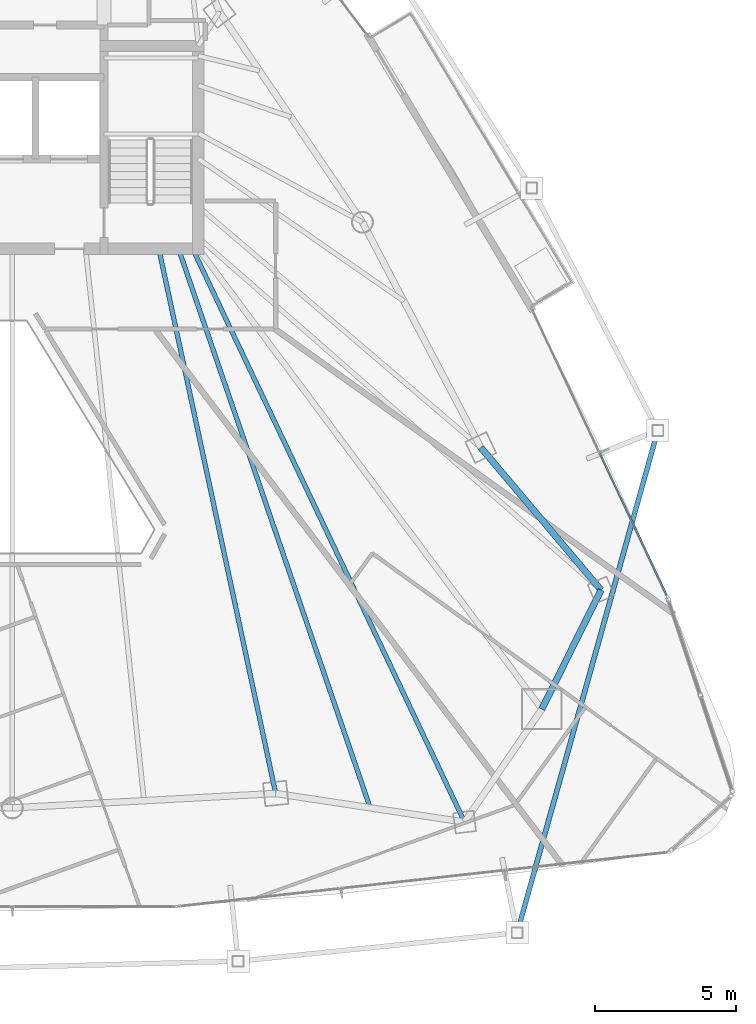
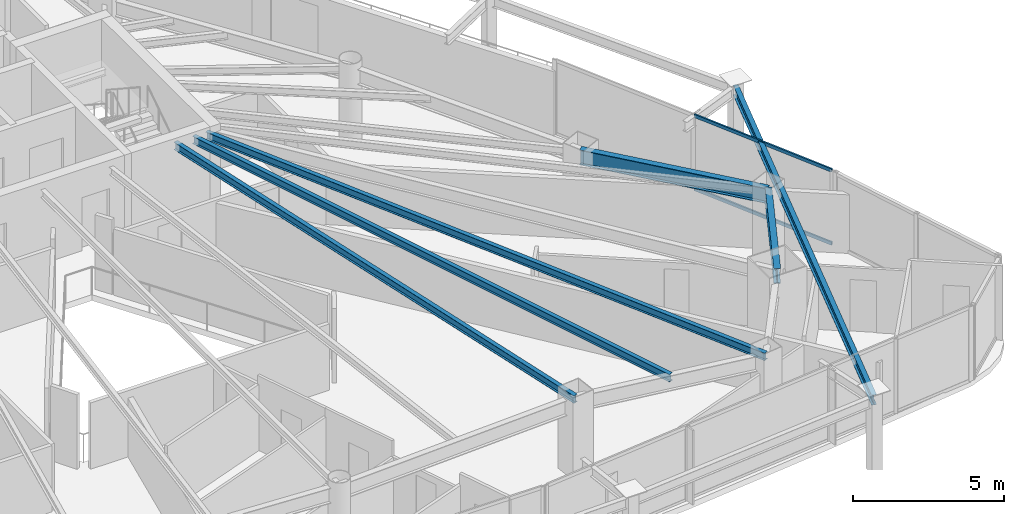
# One storey, part 13 of 30: 6 beams, 2 members, 1 element without a shape of its own.
"""IFC4 building model written with IfcOpenShell, lengths in metres."""

from ifc_helpers import new_model, si_unit, direction, frame, origin, origin_2d, place, context, subcontext, project, spatial, hollow_rectangle, i_section, extrude, material, layer, layer_set, material_profile, profile_set, type_object, element, aggregate, save


model = new_model("IFC4")

# Units and contexts
model_context = context("Model", 3, precision=1e-05, world=origin(), true_north=direction((0.0, 1.0)))
body_context = subcontext(model_context, "Body", "Model", "MODEL_VIEW")
ifc_project = project(units=[si_unit("LENGTHUNIT", "METRE"), si_unit("AREAUNIT", "SQUARE_METRE"), si_unit("VOLUMEUNIT", "CUBIC_METRE"), si_unit("PLANEANGLEUNIT", "RADIAN"), si_unit("MASSUNIT", "GRAM", prefix="KILO")], contexts=[model_context])

# Site, building, storey
site_placement = place(None, origin())
site = spatial("IfcSite", under=ifc_project, at=site_placement, CompositionType="ELEMENT")
building_placement = place(site_placement, origin())
building = spatial("IfcBuilding", under=site, at=building_placement, Name="Orvanel Arch Residences", CompositionType="ELEMENT")
storey_placement = place(building_placement, frame((0.0, 0.0, 143.0)))
storey = spatial("IfcBuildingStorey", under=building, at=storey_placement, Name="L40", CompositionType="ELEMENT", Elevation=143.0)

# Beams
ifc_material_1 = material(Name="Structural steel AS/NZS 3679.1 Grade 300 (300 MPa)", Category="steel")
ifc_material_profile_1 = material_profile(ifc_material_1, i_section(OverallWidth=0.1650390625, OverallDepth=0.303955078125, WebThickness=0.006103515625, FlangeThickness=0.01025390625, at=origin_2d()), Name="310UB40.4")
ifc_profile_set_1 = profile_set([ifc_material_profile_1], Name="Structural steel AS/NZS 3679.1 Grade 300 (300 MPa)")
beam_type_1 = type_object("IfcBeamType", Name="BJ-310UB", PredefinedType="JOIST", material=ifc_profile_set_1)
beam_1_placement = place(storey_placement, frame((38.199951171875, 26.699951171875, 2.867919921875), z_axis=(0.209808012425, -0.977742603103, 0.0), x_axis=(0.977742603103, 0.209808012425, 0.0)))
element("IfcBeam", 1, at=beam_1_placement, inside=storey, type_object=beam_type_1, Name="L40 SE Wing Floor Joist", PredefinedType="JOIST", context=body_context, shape_type="SweptSolid", body=[
    extrude(i_section(OverallWidth=0.1650390625, OverallDepth=0.303955078125, WebThickness=0.006103515625, FlangeThickness=0.01025390625, at=origin_2d()), origin(), (0.0, 0.0, 1.0), 19.785400390625),
])
beam_2_placement = place(storey_placement, frame((39.39990234375, 26.699951171875, 2.867919921875), z_axis=(0.428614365266, -0.903487534993, 0.0), x_axis=(0.903487534993, 0.428614365266, 0.0)))
element("IfcBeam", 2, at=beam_2_placement, inside=storey, type_object=beam_type_1, Name="L40 MSE Wing Floor Joist", PredefinedType="JOIST", context=body_context, shape_type="SweptSolid", body=[
    extrude(i_section(OverallWidth=0.1650390625, OverallDepth=0.303955078125, WebThickness=0.006103515625, FlangeThickness=0.01025390625, at=origin_2d()), origin(), (0.0, 0.0, 1.0), 22.535888671875),
])
beam_3_placement = place(storey_placement, frame((38.89990234375, 26.699951171875, 2.867919921875), z_axis=(0.324257108963, -0.945968988544, 0.0), x_axis=(0.945968988544, 0.324257108963, 0.0)))
element("IfcBeam", 3, at=beam_3_placement, inside=storey, type_object=beam_type_1, Name="L40 JADD2 Wing Floor Joist", PredefinedType="JOIST", context=body_context, shape_type="SweptSolid", body=[
    extrude(i_section(OverallWidth=0.1650390625, OverallDepth=0.303955078125, WebThickness=0.006103515625, FlangeThickness=0.01025390625, at=origin_2d()), origin(), (0.0, 0.0, 1.0), 20.987060546875),
])
ifc_material_profile_2 = material_profile(ifc_material_1, i_section(OverallWidth=0.177978515625, OverallDepth=0.406005859375, WebThickness=0.0078125, FlangeThickness=0.0126953125, at=origin_2d()), Name="410UB59.7")
ifc_profile_set_2 = profile_set([ifc_material_profile_2], Name="Structural steel AS/NZS 3679.1 Grade 300 (300 MPa)")
beam_type_2 = type_object("IfcBeamType", Name="OB-410UB-EXT", PredefinedType="SPANDREL", material=ifc_profile_set_2)
beam_4_placement = place(storey_placement, frame((50.925048828125, 2.408935546875, 2.81689453125), z_axis=(0.269674896911, 0.962951426592, 0.0), x_axis=(-0.962951426592, 0.269674896911, 0.0)))
element("IfcBeam", 4, at=beam_4_placement, inside=storey, type_object=beam_type_2, Name="L40 Outer Perimeter Floor Ring Beam 08", PredefinedType="SPANDREL", context=body_context, shape_type="SweptSolid", body=[
    extrude(i_section(OverallWidth=0.177978515625, OverallDepth=0.406005859375, WebThickness=0.0078125, FlangeThickness=0.0126953125, at=origin_2d()), origin(), (0.0, 0.0, 1.0), 18.525390625),
])
ifc_material_profile_3 = material_profile(ifc_material_1, i_section(OverallWidth=0.22900390625, OverallDepth=0.612060546875, WebThickness=0.011962890625, FlangeThickness=0.01953125, at=origin_2d()), Name="610UB125")
ifc_profile_set_3 = profile_set([ifc_material_profile_3], Name="Structural steel AS/NZS 3679.1 Grade 300 (300 MPa)")
beam_type_3 = type_object("IfcBeamType", Name="SP-610UB", PredefinedType="SPANDREL", material=ifc_profile_set_3)
beam_5_placement = place(storey_placement, frame((51.801025390625, 10.35107421875, 2.714111328125), z_axis=(0.44543469453, 0.895314432425, 0.0), x_axis=(-0.895314432425, 0.44543469453, 0.0)))
element("IfcBeam", 5, at=beam_5_placement, inside=storey, type_object=beam_type_3, Name="L40 Perimeter Spandrel Beam 09", PredefinedType="SPANDREL", context=body_context, shape_type="SweptSolid", body=[
    extrude(i_section(OverallWidth=0.22900390625, OverallDepth=0.612060546875, WebThickness=0.011962890625, FlangeThickness=0.01953125, at=origin_2d()), origin(), (0.0, 0.0, 1.0), 4.723388671875),
])
beam_6_placement = place(storey_placement, frame((53.905029296875, 14.580078125, 2.714111328125), z_axis=(-0.644950329775, 0.764224490659, 0.0), x_axis=(-0.764224490659, -0.644950329775, 0.0)))
element("IfcBeam", 6, at=beam_6_placement, inside=storey, type_object=beam_type_3, Name="L40 Perimeter Spandrel Beam 10", PredefinedType="SPANDREL", context=body_context, shape_type="SweptSolid", body=[
    extrude(i_section(OverallWidth=0.22900390625, OverallDepth=0.612060546875, WebThickness=0.011962890625, FlangeThickness=0.01953125, at=origin_2d()), origin(), (0.0, 0.0, 1.0), 6.623779296875),
])

# Curtain wall, members
ifc_material_2 = material(Name="Bronze-anodised aluminium AA6063-T6", Category="aluminium")
ifc_layer = layer(ifc_material_2, 0.179931640625)
ifc_layer_set = layer_set([ifc_layer], Name="Bronze-anodised aluminium AA6063-T6")
curtain_wall_type = type_object("IfcCurtainWallType", Name="CW3-MID-SYS", PredefinedType="NOTDEFINED", material=ifc_layer_set)
curtain_wall_placement = place(storey_placement, origin())
curtain_wall = element("IfcCurtainWall", 7, at=curtain_wall_placement, inside=storey, type_object=curtain_wall_type, Name="L40 CW3-MID-SYS Unitised Curtain Wall", PredefinedType="NOTDEFINED")
ifc_material_profile_4 = material_profile(ifc_material_2, hollow_rectangle(XDim=0.06005859375, YDim=0.135009765625, WallThickness=0.00390625, at=origin_2d()), Name="ALU135x60x4")
ifc_profile_set_4 = profile_set([ifc_material_profile_4], Name="Bronze-anodised aluminium AA6063-T6")
member_type = type_object("IfcMemberType", Name="TRN-135x60", PredefinedType="USERDEFINED", material=ifc_profile_set_4)
member_1_placement = place(storey_placement, frame((56.230224609375, 14.40625, 0.030029296875), z_axis=(-0.426009230094, 0.904718815917, 0.0), x_axis=(-0.904718815917, -0.426009230094, 0.0)))
member_1 = element("IfcMember", 8, at=member_1_placement, type_object=member_type, Name="CW-S3 transom 1.1", ObjectType="TRANSOM", PredefinedType="USERDEFINED", context=body_context, shape_type="SweptSolid", body=[
    extrude(hollow_rectangle(XDim=0.06005859375, YDim=0.135009765625, WallThickness=0.00390625, at=origin_2d()), origin(), (0.0, 0.0, 1.0), 5.54052734375),
])
member_2_placement = place(storey_placement, frame((56.230224609375, 14.40625, 2.989990234375), z_axis=(-0.426009230094, 0.904718815917, 0.0), x_axis=(-0.904718815917, -0.426009230094, 0.0)))
member_2 = element("IfcMember", 9, at=member_2_placement, type_object=member_type, Name="CW-S3 transom 1.2", ObjectType="TRANSOM", PredefinedType="USERDEFINED", context=body_context, shape_type="SweptSolid", body=[
    extrude(hollow_rectangle(XDim=0.06005859375, YDim=0.135009765625, WallThickness=0.00390625, at=origin_2d()), origin(), (0.0, 0.0, 1.0), 5.54052734375),
])
aggregate(curtain_wall, [member_1, member_2])

save(model, "model.ifc")
